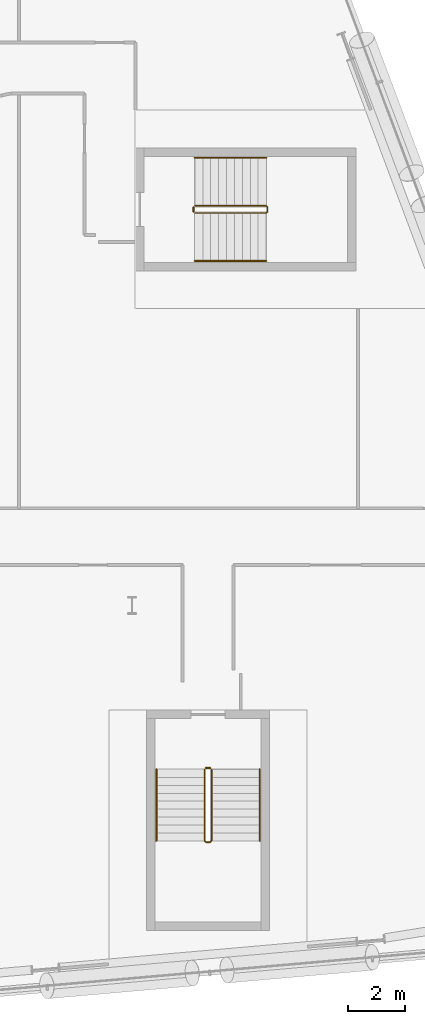
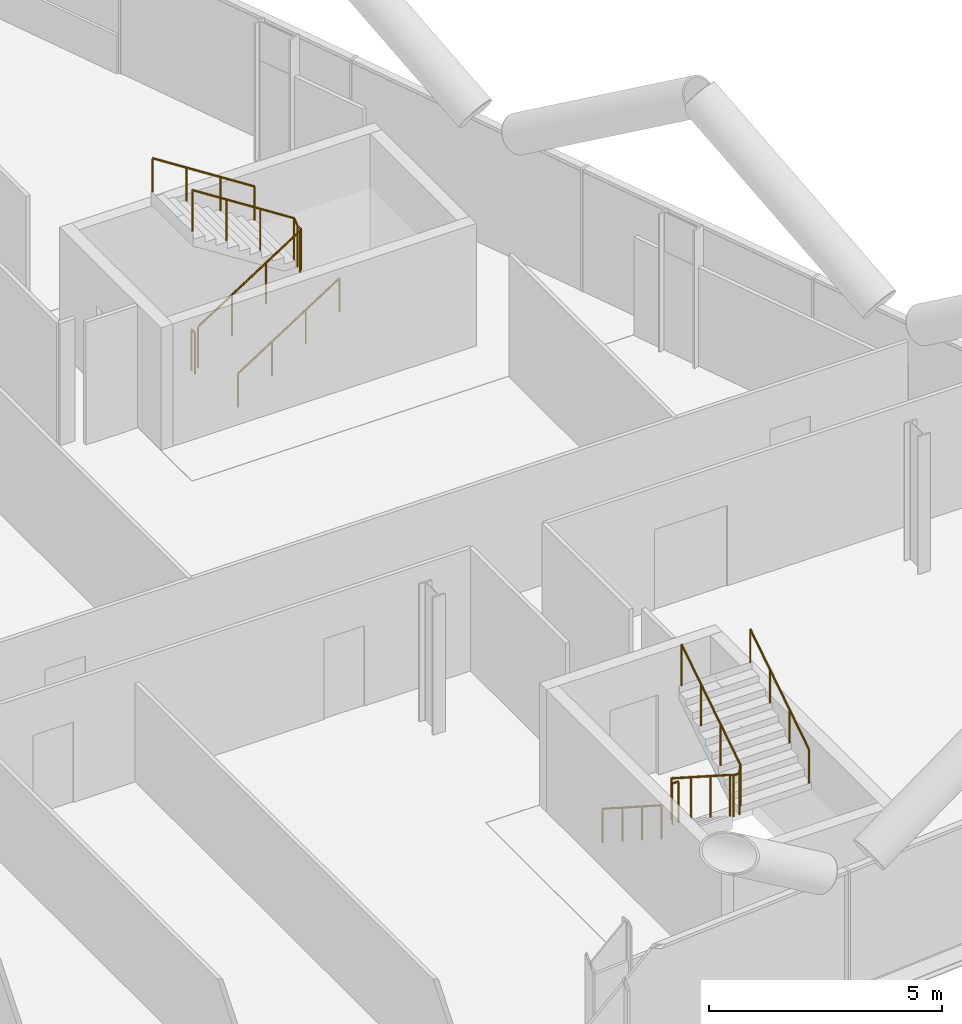
# One storey, part 27 of 27: 8 railings.
"""IFC4 building model written with IfcOpenShell, lengths in metres."""

from ifc_helpers import new_model, si_unit, direction, frame, origin, origin_2d, place, context, subcontext, project, spatial, circle, extrude, material, type_object, element, save


model = new_model("IFC4")

# Units and contexts
model_context = context("Model", 3, precision=1e-05, world=origin(), true_north=direction((0.0, 1.0)))
body_context = subcontext(model_context, "Body", "Model", "MODEL_VIEW")
ifc_project = project(units=[si_unit("LENGTHUNIT", "METRE"), si_unit("AREAUNIT", "SQUARE_METRE"), si_unit("VOLUMEUNIT", "CUBIC_METRE"), si_unit("PLANEANGLEUNIT", "RADIAN"), si_unit("MASSUNIT", "GRAM", prefix="KILO")], contexts=[model_context])

# Site, building, storey
site_placement = place(None, origin())
site = spatial("IfcSite", under=ifc_project, at=site_placement, CompositionType="ELEMENT")
building_placement = place(site_placement, origin())
building = spatial("IfcBuilding", under=site, at=building_placement, Name="Wharfspan Tower", CompositionType="ELEMENT")
storey_placement = place(building_placement, frame((0.0, 0.0, 84.699951)))
storey = spatial("IfcBuildingStorey", under=building, at=storey_placement, Name="L18", CompositionType="ELEMENT", Elevation=84.699951)

# Railings
ifc_material = material(Name="Steel S355J2", Category="steel")
railing_type_1 = type_object("IfcRailingType", Name="Stair guard 1100", PredefinedType="GUARDRAIL", material=ifc_material)
railing_1_placement = place(storey_placement, frame((74.567383, 5.691895, 0.179932)))
element("IfcRailing", 1, at=railing_1_placement, inside=storey, type_object=railing_type_1, Name="L18 ST5 stair guard 1", PredefinedType="GUARDRAIL", context=body_context, shape_type="SweptSolid", body=[
    extrude(circle(Radius=0.023926, at=origin_2d()), frame((0.0, 0.0, 1.076172), z_axis=(0.0, -0.841139, 0.540819), x_axis=(1.0, 0.0, 0.0)), (0.0, 0.0, 1.0), 2.995605),
    extrude(circle(Radius=0.023926, at=origin_2d()), frame((0.0, -2.519775, 2.696289), z_axis=(0.707107, -0.707107, 0.0), x_axis=(0.707107, 0.707107, 0.0)), (0.0, 0.0, 1.0), 0.070801),
    extrude(circle(Radius=0.023926, at=origin_2d()), frame((0.050049, -2.569824, 2.696289), z_axis=(1.0, 0.0, 0.0), x_axis=(0.0, 1.0, 0.0)), (0.0, 0.0, 1.0), 0.150146),
    extrude(circle(Radius=0.023926, at=origin_2d()), frame((0.200195, -2.569824, 2.696289), z_axis=(0.257669, 0.258932, 0.930892), x_axis=(-0.708833, 0.705372, 1e-06)), (0.0, 0.0, 1.0), 0.193359),
    extrude(circle(Radius=0.023926, at=origin_2d()), frame((0.25, -2.519775, 2.875977), z_axis=(0.0, 0.841139, 0.540819), x_axis=(-1.0, 0.0, 0.0)), (0.0, 0.0, 1.0), 2.995605),
    extrude(circle(Radius=0.020996, at=origin_2d()), origin(), (0.0, 0.0, 1.0), 1.052002),
    extrude(circle(Radius=0.020996, at=origin_2d()), frame((0.0, -0.839844, 0.540039)), (0.0, 0.0, 1.0), 1.052002),
    extrude(circle(Radius=0.020996, at=origin_2d()), frame((0.0, -1.679932, 1.080078)), (0.0, 0.0, 1.0), 1.052002),
    extrude(circle(Radius=0.020996, at=origin_2d()), frame((0.0, -2.519775, 1.620117)), (0.0, 0.0, 1.0), 1.052002),
    extrude(circle(Radius=0.020996, at=origin_2d()), frame((0.050049, -2.569824, 1.620117)), (0.0, 0.0, 1.0), 1.052002),
    extrude(circle(Radius=0.020996, at=origin_2d()), frame((0.200195, -2.569824, 1.620117)), (0.0, 0.0, 1.0), 1.052002),
    extrude(circle(Radius=0.020996, at=origin_2d()), frame((0.25, -2.519775, 1.800049)), (0.0, 0.0, 1.0), 1.052002),
    extrude(circle(Radius=0.020996, at=origin_2d()), frame((0.25, -1.679932, 2.340088)), (0.0, 0.0, 1.0), 1.052002),
    extrude(circle(Radius=0.020996, at=origin_2d()), frame((0.25, -0.839844, 2.880127)), (0.0, 0.0, 1.0), 1.052002),
    extrude(circle(Radius=0.020996, at=origin_2d()), frame((0.25, 0.0, 3.420166)), (0.0, 0.0, 1.0), 1.052002),
])
railing_2_placement = place(storey_placement, frame((74.617432, 5.741943, 0.0)))
element("IfcRailing", 2, at=railing_2_placement, inside=storey, type_object=railing_type_1, Name="L18 ST5 stair guard 2", PredefinedType="GUARDRAIL", context=body_context, shape_type="SweptSolid", body=[
    extrude(circle(Radius=0.023926, at=origin_2d()), frame((0.0, 0.0, 1.076172), z_axis=(1.0, 0.0, 0.0), x_axis=(0.0, 1.0, 0.0)), (0.0, 0.0, 1.0), 0.150146),
    extrude(circle(Radius=0.020996, at=origin_2d()), origin(), (0.0, 0.0, 1.0), 1.052002),
    extrude(circle(Radius=0.020996, at=origin_2d()), frame((0.150146, 0.0, 0.0)), (0.0, 0.0, 1.0), 1.052002),
])
railing_3_placement = place(storey_placement, frame((74.225098, 25.375, 0.179932)))
element("IfcRailing", 3, at=railing_3_placement, inside=storey, type_object=railing_type_1, Name="L18 ST6 stair guard 1", PredefinedType="GUARDRAIL", context=body_context, shape_type="SweptSolid", body=[
    extrude(circle(Radius=0.023926, at=origin_2d()), frame((0.0, 0.0, 1.076172), z_axis=(0.841163, 0.0, 0.540782), x_axis=(0.0, 1.0, 0.0)), (0.0, 0.0, 1.0), 2.99585),
    extrude(circle(Radius=0.023926, at=origin_2d()), frame((2.52002, 0.0, 2.696289), z_axis=(0.705376, 0.708834, 0.0), x_axis=(-0.708834, 0.705376, 0.0)), (0.0, 0.0, 1.0), 0.070557),
    extrude(circle(Radius=0.023926, at=origin_2d()), frame((2.569824, 0.050049, 2.696289), z_axis=(0.0, 1.0, 0.0), x_axis=(-1.0, 0.0, 0.0)), (0.0, 0.0, 1.0), 0.149902),
    extrude(circle(Radius=0.023926, at=origin_2d()), frame((2.569824, 0.199951, 2.696289), z_axis=(-0.257669, 0.258932, 0.930892), x_axis=(-0.708833, -0.705372, -1e-06)), (0.0, 0.0, 1.0), 0.193359),
    extrude(circle(Radius=0.023926, at=origin_2d()), frame((2.52002, 0.25, 2.875977), z_axis=(-0.841163, 0.0, 0.540782), x_axis=(0.0, -1.0, 0.0)), (0.0, 0.0, 1.0), 2.99585),
    extrude(circle(Radius=0.020996, at=origin_2d()), origin(), (0.0, 0.0, 1.0), 1.052002),
    extrude(circle(Radius=0.020996, at=origin_2d()), frame((0.840088, 0.0, 0.540039)), (0.0, 0.0, 1.0), 1.052002),
    extrude(circle(Radius=0.020996, at=origin_2d()), frame((1.679932, 0.0, 1.080078)), (0.0, 0.0, 1.0), 1.052002),
    extrude(circle(Radius=0.020996, at=origin_2d()), frame((2.52002, 0.0, 1.620117)), (0.0, 0.0, 1.0), 1.052002),
    extrude(circle(Radius=0.020996, at=origin_2d()), frame((2.569824, 0.050049, 1.620117)), (0.0, 0.0, 1.0), 1.052002),
    extrude(circle(Radius=0.020996, at=origin_2d()), frame((2.569824, 0.199951, 1.620117)), (0.0, 0.0, 1.0), 1.052002),
    extrude(circle(Radius=0.020996, at=origin_2d()), frame((2.52002, 0.25, 1.800049)), (0.0, 0.0, 1.0), 1.052002),
    extrude(circle(Radius=0.020996, at=origin_2d()), frame((1.679932, 0.25, 2.340088)), (0.0, 0.0, 1.0), 1.052002),
    extrude(circle(Radius=0.020996, at=origin_2d()), frame((0.840088, 0.25, 2.880127)), (0.0, 0.0, 1.0), 1.052002),
    extrude(circle(Radius=0.020996, at=origin_2d()), frame((0.0, 0.25, 3.420166)), (0.0, 0.0, 1.0), 1.052002),
])
railing_4_placement = place(storey_placement, frame((74.175049, 25.425049, 0.0)))
element("IfcRailing", 4, at=railing_4_placement, inside=storey, type_object=railing_type_1, Name="L18 ST6 stair guard 2", PredefinedType="GUARDRAIL", context=body_context, shape_type="SweptSolid", body=[
    extrude(circle(Radius=0.023926, at=origin_2d()), frame((0.0, 0.0, 1.076172), z_axis=(0.0, 1.0, 0.0), x_axis=(-1.0, 0.0, 0.0)), (0.0, 0.0, 1.0), 0.149902),
    extrude(circle(Radius=0.020996, at=origin_2d()), origin(), (0.0, 0.0, 1.0), 1.052002),
    extrude(circle(Radius=0.020996, at=origin_2d()), frame((0.0, 0.149902, 0.0)), (0.0, 0.0, 1.0), 1.052002),
])
railing_type_2 = type_object("IfcRailingType", Name="Stair handrail 900", PredefinedType="HANDRAIL", material=ifc_material)
railing_5_placement = place(storey_placement, frame((72.867432, 5.691895, 0.179932)))
element("IfcRailing", 5, at=railing_5_placement, inside=storey, type_object=railing_type_2, Name="L18 ST5 stair handrail 1", PredefinedType="HANDRAIL", context=body_context, shape_type="SweptSolid", body=[
    extrude(circle(Radius=0.023926, at=origin_2d()), frame((0.0, 0.0, 0.875977), z_axis=(0.0, -0.841139, 0.540819), x_axis=(1.0, 0.0, 0.0)), (0.0, 0.0, 1.0), 2.995605),
    extrude(circle(Radius=0.020996, at=origin_2d()), origin(), (0.0, 0.0, 1.0), 0.851807),
    extrude(circle(Radius=0.020996, at=origin_2d()), frame((0.0, -0.839844, 0.540039)), (0.0, 0.0, 1.0), 0.851807),
    extrude(circle(Radius=0.020996, at=origin_2d()), frame((0.0, -1.679932, 1.080078)), (0.0, 0.0, 1.0), 0.851807),
    extrude(circle(Radius=0.020996, at=origin_2d()), frame((0.0, -2.519775, 1.620117)), (0.0, 0.0, 1.0), 0.851807),
])
railing_6_placement = place(storey_placement, frame((76.517578, 3.172119, 1.97998)))
element("IfcRailing", 6, at=railing_6_placement, inside=storey, type_object=railing_type_2, Name="L18 ST5 stair handrail 2", PredefinedType="HANDRAIL", context=body_context, shape_type="SweptSolid", body=[
    extrude(circle(Radius=0.023926, at=origin_2d()), frame((0.0, 0.0, 0.875977), z_axis=(0.0, 0.841139, 0.540819), x_axis=(-1.0, 0.0, 0.0)), (0.0, 0.0, 1.0), 2.995605),
    extrude(circle(Radius=0.020996, at=origin_2d()), origin(), (0.0, 0.0, 1.0), 0.851807),
    extrude(circle(Radius=0.020996, at=origin_2d()), frame((0.0, 0.839844, 0.540039)), (0.0, 0.0, 1.0), 0.851807),
    extrude(circle(Radius=0.020996, at=origin_2d()), frame((0.0, 1.679932, 1.080078)), (0.0, 0.0, 1.0), 0.851807),
    extrude(circle(Radius=0.020996, at=origin_2d()), frame((0.0, 2.519775, 1.620117)), (0.0, 0.0, 1.0), 0.851807),
])
railing_7_placement = place(storey_placement, frame((74.225098, 23.675049, 0.179932)))
element("IfcRailing", 7, at=railing_7_placement, inside=storey, type_object=railing_type_2, Name="L18 ST6 stair handrail 1", PredefinedType="HANDRAIL", context=body_context, shape_type="SweptSolid", body=[
    extrude(circle(Radius=0.023926, at=origin_2d()), frame((0.0, 0.0, 0.875977), z_axis=(0.841163, 0.0, 0.540782), x_axis=(0.0, 1.0, 0.0)), (0.0, 0.0, 1.0), 2.99585),
    extrude(circle(Radius=0.020996, at=origin_2d()), origin(), (0.0, 0.0, 1.0), 0.851807),
    extrude(circle(Radius=0.020996, at=origin_2d()), frame((0.840088, 0.0, 0.540039)), (0.0, 0.0, 1.0), 0.851807),
    extrude(circle(Radius=0.020996, at=origin_2d()), frame((1.679932, 0.0, 1.080078)), (0.0, 0.0, 1.0), 0.851807),
    extrude(circle(Radius=0.020996, at=origin_2d()), frame((2.52002, 0.0, 1.620117)), (0.0, 0.0, 1.0), 0.851807),
])
railing_8_placement = place(storey_placement, frame((76.745117, 27.324951, 1.97998)))
element("IfcRailing", 8, at=railing_8_placement, inside=storey, type_object=railing_type_2, Name="L18 ST6 stair handrail 2", PredefinedType="HANDRAIL", context=body_context, shape_type="SweptSolid", body=[
    extrude(circle(Radius=0.023926, at=origin_2d()), frame((0.0, 0.0, 0.875977), z_axis=(-0.841163, 0.0, 0.540782), x_axis=(0.0, -1.0, 0.0)), (0.0, 0.0, 1.0), 2.99585),
    extrude(circle(Radius=0.020996, at=origin_2d()), origin(), (0.0, 0.0, 1.0), 0.851807),
    extrude(circle(Radius=0.020996, at=origin_2d()), frame((-0.840088, 0.0, 0.540039)), (0.0, 0.0, 1.0), 0.851807),
    extrude(circle(Radius=0.020996, at=origin_2d()), frame((-1.679932, 0.0, 1.080078)), (0.0, 0.0, 1.0), 0.851807),
    extrude(circle(Radius=0.020996, at=origin_2d()), frame((-2.52002, 0.0, 1.620117)), (0.0, 0.0, 1.0), 0.851807),
])

save(model, "model.ifc")
